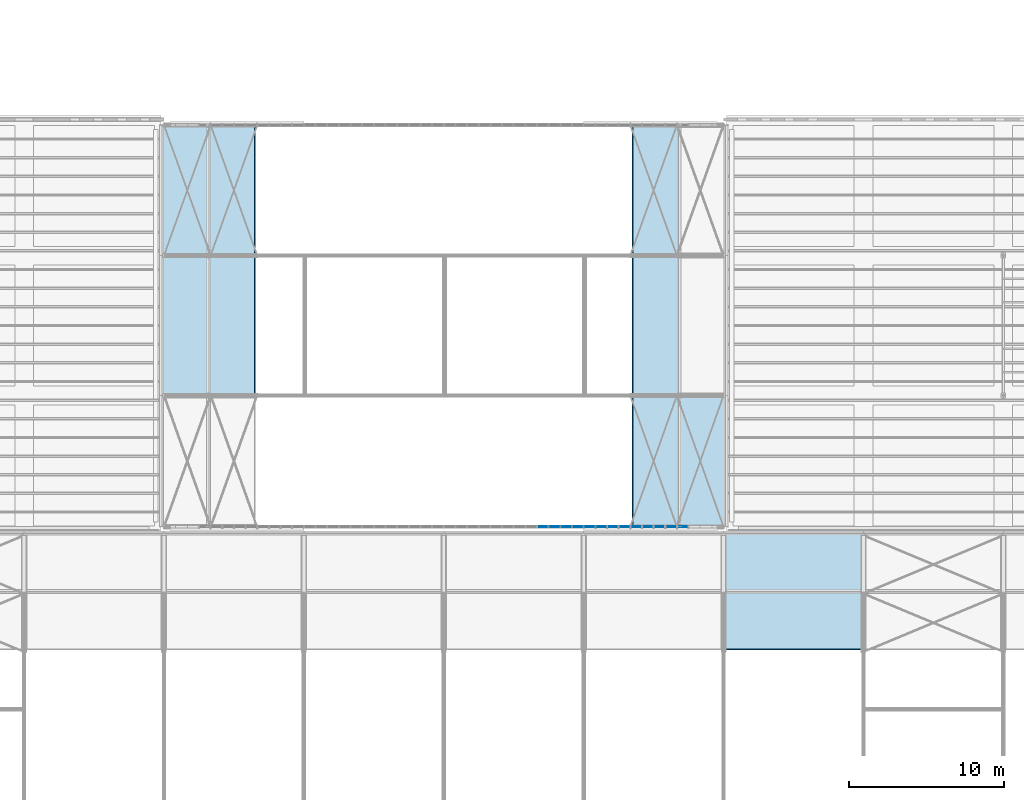
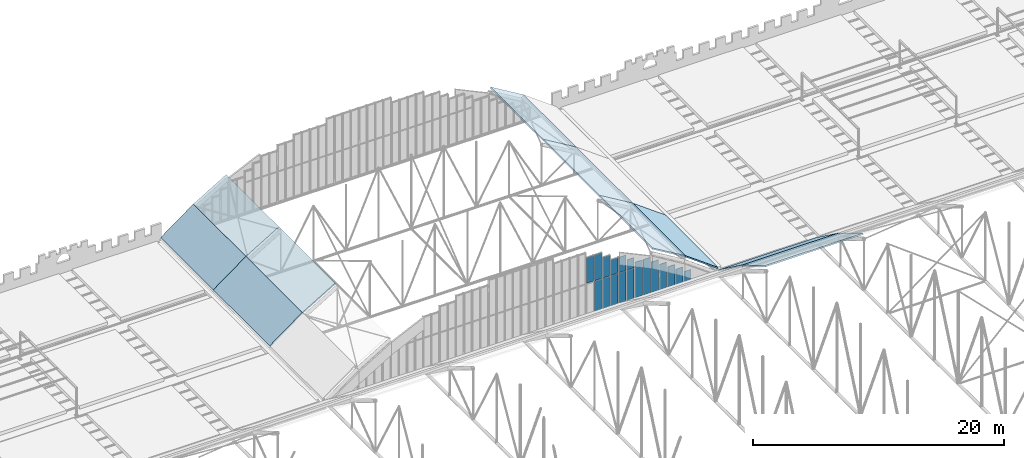
# One storey, part 97 of 153: 18 plates, 10 slabs, 13 elements without a shape of their own.
"""IFC4 building model written with IfcOpenShell, lengths in metres."""

from ifc_helpers import new_model, si_unit, direction, frame, origin, origin_2d, place, context, subcontext, project, spatial, polyline, rectangle, outline, extrude, material, layer, layer_set, type_object, element, aggregate, save


model = new_model("IFC4")

# Units and contexts
model_context = context("Model", 3, precision=1e-05, world=origin(), true_north=direction((0.0, 1.0)))
body_context = subcontext(model_context, "Body", "Model", "MODEL_VIEW")
ifc_project = project(units=[si_unit("LENGTHUNIT", "METRE"), si_unit("AREAUNIT", "SQUARE_METRE"), si_unit("VOLUMEUNIT", "CUBIC_METRE"), si_unit("PLANEANGLEUNIT", "RADIAN"), si_unit("MASSUNIT", "GRAM", prefix="KILO")], contexts=[model_context])

# Site, building, storey
site_placement = place(None, origin())
site = spatial("IfcSite", under=ifc_project, at=site_placement, CompositionType="ELEMENT")
building_placement = place(site_placement, origin())
building = spatial("IfcBuilding", under=site, at=building_placement, Name="Baradari Gate Terminus", CompositionType="ELEMENT")
storey_placement = place(building_placement, frame((0.0, 0.0, 11.699951171875)))
storey = spatial("IfcBuildingStorey", under=building, at=storey_placement, Name="L02", CompositionType="ELEMENT", Elevation=11.699951171875)

# Curtain wall, plate
ifc_material_1 = material(Name="Aluminium 6063-T6", Category="aluminium")
curtain_wall_type = type_object("IfcCurtainWallType", Name="Curtain wall CW-60 hall gable glazing", PredefinedType="NOTDEFINED", material=ifc_material_1)
curtain_wall_1_placement = place(storey_placement, origin())
curtain_wall_1 = element("IfcCurtainWall", 1, at=curtain_wall_1_placement, inside=storey, type_object=curtain_wall_type, Name="Hall gable glazing S33", PredefinedType="NOTDEFINED")
ifc_material_2 = material(Name="Insulating glass unit", Category="glass")
ifc_layer_1 = layer(ifc_material_2, 0.0439453125)
ifc_layer_set_1 = layer_set([ifc_layer_1], Name="Insulating glass unit")
plate_type = type_object("IfcPlateType", Name="Curtain wall glazing unit CP-60 44", PredefinedType="CURTAIN_PANEL", material=ifc_layer_set_1)
plate_1_placement = place(storey_placement, frame((159.375, 81.550048828125, 3.259765625), z_axis=(0.0, 0.0, 1.0), x_axis=(1.0, 0.0, 0.0)))
plate_1 = element("IfcPlate", 2, at=plate_1_placement, type_object=plate_type, Name="CW-60 panel 1.2", PredefinedType="CURTAIN_PANEL", context=body_context, shape_type="SweptSolid", body=[
    extrude(rectangle(XDim=0.64990234375, YDim=0.0439453125, at=origin_2d()), origin(), (0.0, 0.0, 1.0), 2.490478515625),
])
aggregate(curtain_wall_1, [plate_1])

# Curtain wall, plates
curtain_wall_2_placement = place(storey_placement, origin())
curtain_wall_2 = element("IfcCurtainWall", 3, at=curtain_wall_2_placement, inside=storey, type_object=curtain_wall_type, Name="Hall gable glazing S34", PredefinedType="NOTDEFINED")
plate_2_placement = place(storey_placement, frame((160.125, 81.550048828125, 0.28466796875), z_axis=(0.0, 0.0, 1.0), x_axis=(1.0, 0.0, 0.0)))
plate_2 = element("IfcPlate", 4, at=plate_2_placement, type_object=plate_type, Name="CW-60 panel 1.1", PredefinedType="CURTAIN_PANEL", context=body_context, shape_type="SweptSolid", body=[
    extrude(rectangle(XDim=0.64990234375, YDim=0.0439453125, at=origin_2d()), origin(), (0.0, 0.0, 1.0), 2.925048828125),
])
plate_3_placement = place(storey_placement, frame((160.125, 81.550048828125, 3.259765625), z_axis=(0.0, 0.0, 1.0), x_axis=(1.0, 0.0, 0.0)))
plate_3 = element("IfcPlate", 5, at=plate_3_placement, type_object=plate_type, Name="CW-60 panel 1.2", PredefinedType="CURTAIN_PANEL", context=body_context, shape_type="SweptSolid", body=[
    extrude(rectangle(XDim=0.64990234375, YDim=0.0439453125, at=origin_2d()), origin(), (0.0, 0.0, 1.0), 2.490478515625),
])
aggregate(curtain_wall_2, [plate_2, plate_3])

curtain_wall_3_placement = place(storey_placement, origin())
curtain_wall_3 = element("IfcCurtainWall", 6, at=curtain_wall_3_placement, inside=storey, type_object=curtain_wall_type, Name="Hall gable glazing S35", PredefinedType="NOTDEFINED")
plate_4_placement = place(storey_placement, frame((160.875, 81.550048828125, 0.28466796875), z_axis=(0.0, 0.0, 1.0), x_axis=(1.0, 0.0, 0.0)))
plate_4 = element("IfcPlate", 7, at=plate_4_placement, type_object=plate_type, Name="CW-60 panel 1.1", PredefinedType="CURTAIN_PANEL", context=body_context, shape_type="SweptSolid", body=[
    extrude(rectangle(XDim=0.64990234375, YDim=0.0439453125, at=origin_2d()), origin(), (0.0, 0.0, 1.0), 2.925048828125),
])
plate_5_placement = place(storey_placement, frame((160.875, 81.550048828125, 3.259765625), z_axis=(0.0, 0.0, 1.0), x_axis=(1.0, 0.0, 0.0)))
plate_5 = element("IfcPlate", 8, at=plate_5_placement, type_object=plate_type, Name="CW-60 panel 1.2", PredefinedType="CURTAIN_PANEL", context=body_context, shape_type="SweptSolid", body=[
    extrude(rectangle(XDim=0.64990234375, YDim=0.0439453125, at=origin_2d()), origin(), (0.0, 0.0, 1.0), 1.990478515625),
])
aggregate(curtain_wall_3, [plate_4, plate_5])

curtain_wall_4_placement = place(storey_placement, origin())
curtain_wall_4 = element("IfcCurtainWall", 9, at=curtain_wall_4_placement, inside=storey, type_object=curtain_wall_type, Name="Hall gable glazing S36", PredefinedType="NOTDEFINED")
plate_6_placement = place(storey_placement, frame((161.625, 81.550048828125, 0.28466796875), z_axis=(0.0, 0.0, 1.0), x_axis=(1.0, 0.0, 0.0)))
plate_6 = element("IfcPlate", 10, at=plate_6_placement, type_object=plate_type, Name="CW-60 panel 1.1", PredefinedType="CURTAIN_PANEL", context=body_context, shape_type="SweptSolid", body=[
    extrude(rectangle(XDim=0.64990234375, YDim=0.0439453125, at=origin_2d()), origin(), (0.0, 0.0, 1.0), 2.925048828125),
])
plate_7_placement = place(storey_placement, frame((161.625, 81.550048828125, 3.259765625), z_axis=(0.0, 0.0, 1.0), x_axis=(1.0, 0.0, 0.0)))
plate_7 = element("IfcPlate", 11, at=plate_7_placement, type_object=plate_type, Name="CW-60 panel 1.2", PredefinedType="CURTAIN_PANEL", context=body_context, shape_type="SweptSolid", body=[
    extrude(rectangle(XDim=0.64990234375, YDim=0.0439453125, at=origin_2d()), origin(), (0.0, 0.0, 1.0), 1.490478515625),
])
aggregate(curtain_wall_4, [plate_6, plate_7])

curtain_wall_5_placement = place(storey_placement, origin())
curtain_wall_5 = element("IfcCurtainWall", 12, at=curtain_wall_5_placement, inside=storey, type_object=curtain_wall_type, Name="Hall gable glazing S37", PredefinedType="NOTDEFINED")
plate_8_placement = place(storey_placement, frame((162.375, 81.550048828125, 0.28466796875), z_axis=(0.0, 0.0, 1.0), x_axis=(1.0, 0.0, 0.0)))
plate_8 = element("IfcPlate", 13, at=plate_8_placement, type_object=plate_type, Name="CW-60 panel 1.1", PredefinedType="CURTAIN_PANEL", context=body_context, shape_type="SweptSolid", body=[
    extrude(rectangle(XDim=0.64990234375, YDim=0.0439453125, at=origin_2d()), origin(), (0.0, 0.0, 1.0), 2.925048828125),
])
plate_9_placement = place(storey_placement, frame((162.375, 81.550048828125, 3.259765625), z_axis=(0.0, 0.0, 1.0), x_axis=(1.0, 0.0, 0.0)))
plate_9 = element("IfcPlate", 14, at=plate_9_placement, type_object=plate_type, Name="CW-60 panel 1.2", PredefinedType="CURTAIN_PANEL", context=body_context, shape_type="SweptSolid", body=[
    extrude(rectangle(XDim=0.64990234375, YDim=0.0439453125, at=origin_2d()), origin(), (0.0, 0.0, 1.0), 1.490478515625),
])
aggregate(curtain_wall_5, [plate_8, plate_9])

curtain_wall_6_placement = place(storey_placement, origin())
curtain_wall_6 = element("IfcCurtainWall", 15, at=curtain_wall_6_placement, inside=storey, type_object=curtain_wall_type, Name="Hall gable glazing S38", PredefinedType="NOTDEFINED")
plate_10_placement = place(storey_placement, frame((163.125, 81.550048828125, 0.28466796875), z_axis=(0.0, 0.0, 1.0), x_axis=(1.0, 0.0, 0.0)))
plate_10 = element("IfcPlate", 16, at=plate_10_placement, type_object=plate_type, Name="CW-60 panel 1.1", PredefinedType="CURTAIN_PANEL", context=body_context, shape_type="SweptSolid", body=[
    extrude(rectangle(XDim=0.64990234375, YDim=0.0439453125, at=origin_2d()), origin(), (0.0, 0.0, 1.0), 2.925048828125),
])
plate_11_placement = place(storey_placement, frame((163.125, 81.550048828125, 3.259765625), z_axis=(0.0, 0.0, 1.0), x_axis=(1.0, 0.0, 0.0)))
plate_11 = element("IfcPlate", 17, at=plate_11_placement, type_object=plate_type, Name="CW-60 panel 1.2", PredefinedType="CURTAIN_PANEL", context=body_context, shape_type="SweptSolid", body=[
    extrude(rectangle(XDim=0.64990234375, YDim=0.0439453125, at=origin_2d()), origin(), (0.0, 0.0, 1.0), 0.990478515625),
])
aggregate(curtain_wall_6, [plate_10, plate_11])

# Curtain wall, plate
curtain_wall_7_placement = place(storey_placement, origin())
curtain_wall_7 = element("IfcCurtainWall", 18, at=curtain_wall_7_placement, inside=storey, type_object=curtain_wall_type, Name="Hall gable glazing S39", PredefinedType="NOTDEFINED")
plate_12_placement = place(storey_placement, frame((163.875, 81.550048828125, 0.28466796875), z_axis=(0.0, 0.0, 1.0), x_axis=(1.0, 0.0, 0.0)))
plate_12 = element("IfcPlate", 19, at=plate_12_placement, type_object=plate_type, Name="CW-60 panel 1.1", PredefinedType="CURTAIN_PANEL", context=body_context, shape_type="SweptSolid", body=[
    extrude(rectangle(XDim=0.64990234375, YDim=0.0439453125, at=origin_2d()), origin(), (0.0, 0.0, 1.0), 3.465576171875),
])
aggregate(curtain_wall_7, [plate_12])

curtain_wall_8_placement = place(storey_placement, origin())
curtain_wall_8 = element("IfcCurtainWall", 20, at=curtain_wall_8_placement, inside=storey, type_object=curtain_wall_type, Name="Hall gable glazing S40", PredefinedType="NOTDEFINED")
plate_13_placement = place(storey_placement, frame((164.625, 81.550048828125, 0.28466796875), z_axis=(0.0, 0.0, 1.0), x_axis=(1.0, 0.0, 0.0)))
plate_13 = element("IfcPlate", 21, at=plate_13_placement, type_object=plate_type, Name="CW-60 panel 1.1", PredefinedType="CURTAIN_PANEL", context=body_context, shape_type="SweptSolid", body=[
    extrude(rectangle(XDim=0.64990234375, YDim=0.0439453125, at=origin_2d()), origin(), (0.0, 0.0, 1.0), 3.465576171875),
])
aggregate(curtain_wall_8, [plate_13])

curtain_wall_9_placement = place(storey_placement, origin())
curtain_wall_9 = element("IfcCurtainWall", 22, at=curtain_wall_9_placement, inside=storey, type_object=curtain_wall_type, Name="Hall gable glazing S41", PredefinedType="NOTDEFINED")
plate_14_placement = place(storey_placement, frame((165.375, 81.550048828125, 0.28466796875), z_axis=(0.0, 0.0, 1.0), x_axis=(1.0, 0.0, 0.0)))
plate_14 = element("IfcPlate", 23, at=plate_14_placement, type_object=plate_type, Name="CW-60 panel 1.1", PredefinedType="CURTAIN_PANEL", context=body_context, shape_type="SweptSolid", body=[
    extrude(rectangle(XDim=0.64990234375, YDim=0.0439453125, at=origin_2d()), origin(), (0.0, 0.0, 1.0), 2.965576171875),
])
aggregate(curtain_wall_9, [plate_14])

curtain_wall_10_placement = place(storey_placement, origin())
curtain_wall_10 = element("IfcCurtainWall", 24, at=curtain_wall_10_placement, inside=storey, type_object=curtain_wall_type, Name="Hall gable glazing S42", PredefinedType="NOTDEFINED")
plate_15_placement = place(storey_placement, frame((166.125, 81.550048828125, 0.28466796875), z_axis=(0.0, 0.0, 1.0), x_axis=(1.0, 0.0, 0.0)))
plate_15 = element("IfcPlate", 25, at=plate_15_placement, type_object=plate_type, Name="CW-60 panel 1.1", PredefinedType="CURTAIN_PANEL", context=body_context, shape_type="SweptSolid", body=[
    extrude(rectangle(XDim=0.64990234375, YDim=0.0439453125, at=origin_2d()), origin(), (0.0, 0.0, 1.0), 2.465576171875),
])
aggregate(curtain_wall_10, [plate_15])

curtain_wall_11_placement = place(storey_placement, origin())
curtain_wall_11 = element("IfcCurtainWall", 26, at=curtain_wall_11_placement, inside=storey, type_object=curtain_wall_type, Name="Hall gable glazing S43", PredefinedType="NOTDEFINED")
plate_16_placement = place(storey_placement, frame((166.875, 81.550048828125, 0.28466796875), z_axis=(0.0, 0.0, 1.0), x_axis=(1.0, 0.0, 0.0)))
plate_16 = element("IfcPlate", 27, at=plate_16_placement, type_object=plate_type, Name="CW-60 panel 1.1", PredefinedType="CURTAIN_PANEL", context=body_context, shape_type="SweptSolid", body=[
    extrude(rectangle(XDim=0.64990234375, YDim=0.0439453125, at=origin_2d()), origin(), (0.0, 0.0, 1.0), 1.965576171875),
])
aggregate(curtain_wall_11, [plate_16])

curtain_wall_12_placement = place(storey_placement, origin())
curtain_wall_12 = element("IfcCurtainWall", 28, at=curtain_wall_12_placement, inside=storey, type_object=curtain_wall_type, Name="Hall gable glazing S44", PredefinedType="NOTDEFINED")
plate_17_placement = place(storey_placement, frame((167.625, 81.550048828125, 0.28466796875), z_axis=(0.0, 0.0, 1.0), x_axis=(1.0, 0.0, 0.0)))
plate_17 = element("IfcPlate", 29, at=plate_17_placement, type_object=plate_type, Name="CW-60 panel 1.1", PredefinedType="CURTAIN_PANEL", context=body_context, shape_type="SweptSolid", body=[
    extrude(rectangle(XDim=0.64990234375, YDim=0.0439453125, at=origin_2d()), origin(), (0.0, 0.0, 1.0), 1.465576171875),
])
aggregate(curtain_wall_12, [plate_17])

curtain_wall_13_placement = place(storey_placement, origin())
curtain_wall_13 = element("IfcCurtainWall", 30, at=curtain_wall_13_placement, inside=storey, type_object=curtain_wall_type, Name="Hall gable glazing S45", PredefinedType="NOTDEFINED")
plate_18_placement = place(storey_placement, frame((168.375, 81.550048828125, 0.28466796875), z_axis=(0.0, 0.0, 1.0), x_axis=(1.0, 0.0, 0.0)))
plate_18 = element("IfcPlate", 31, at=plate_18_placement, type_object=plate_type, Name="CW-60 panel 1.1", PredefinedType="CURTAIN_PANEL", context=body_context, shape_type="SweptSolid", body=[
    extrude(rectangle(XDim=0.64990234375, YDim=0.0439453125, at=origin_2d()), origin(), (0.0, 0.0, 1.0), 0.965576171875),
])
aggregate(curtain_wall_13, [plate_18])

# Slabs
ifc_material_3 = material(Name="Aluminium", Category="aluminium")
ifc_layer_2 = layer(ifc_material_3, 0.1201171875)
ifc_layer_set_2 = layer_set([ifc_layer_2], Name="Aluminium")
slab_type_1 = type_object("IfcSlabType", Name="Hall vault roof panel", PredefinedType="ROOF", material=ifc_layer_set_2)
slab_1_placement = place(storey_placement, frame((165.173583984375, 81.550048828125, 4.5625), z_axis=(0.513041174942, 0.0, 0.858363997855), x_axis=(0.0, 1.0, 0.0)))
element("IfcSlab", 32, at=slab_1_placement, inside=storey, type_object=slab_type_1, Name="RF/L02/VR1-RP10", PredefinedType="ROOF", context=body_context, shape_type="SweptSolid", body=[
    extrude(outline(polyline([(0.0, 0.0), (8.449951171875, 0.0), (8.449951171875, -3.5314272355019476), (0.0, -3.5314272355019476), (0.0, 0.0)])), origin(), (0.0, 0.0, -1.0), 0.1201171875),
])
slab_2_placement = place(storey_placement, frame((168.204833984375, 81.550048828125, 2.750732421875), z_axis=(0.59064081852, 0.0, 0.806934584399), x_axis=(0.0, 1.0, 0.0)))
element("IfcSlab", 33, at=slab_2_placement, inside=storey, type_object=slab_type_1, Name="RF/L02/VR1-RP11", PredefinedType="ROOF", context=body_context, shape_type="SweptSolid", body=[
    extrude(outline(polyline([(0.0, 0.0), (8.449951171875, 0.0), (8.449951171875, -3.7350190138045614), (0.0, -3.7350190138045614), (0.0, 0.0)])), origin(), (0.0, 0.0, -1.0), 0.1201171875),
])
slab_3_placement = place(storey_placement, frame((134.78125, 90.0, 0.544677734375), z_axis=(-0.59064081852, 0.0, 0.806934584399), x_axis=(0.0, 1.0, 0.0)))
element("IfcSlab", 34, at=slab_3_placement, inside=storey, type_object=slab_type_1, Name="RF/L02/VR2-RP00", PredefinedType="ROOF", context=body_context, shape_type="SweptSolid", body=[
    extrude(outline(polyline([(0.0, 0.0), (9.0, 0.0), (9.0, -3.7350190138045614), (0.0, -3.7350190138045614), (0.0, 0.0)])), origin(), (0.0, 0.0, -1.0), 0.1201171875),
])
for number, where, z_axis, x_axis, name in (
    (35, (137.795166015625, 90.0, 2.750732421875), (-0.513041174942, 0.0, 0.858363997855), (0.0, 1.0, 0.0), "RF/L02/VR2-RP01"),
    (36, (165.173583984375, 90.0, 4.5625), (0.513041174942, 0.0, 0.858363997855), (0.0, 1.0, 0.0), "RF/L02/VR2-RP10"),
):
    element("IfcSlab", number, at=place(storey_placement, frame(where, z_axis=z_axis, x_axis=x_axis)), inside=storey, type_object=slab_type_1, Name=name, PredefinedType="ROOF", context=body_context, shape_type="SweptSolid", body=[
        extrude(outline(polyline([(0.0, 0.0), (9.0, 0.0), (9.0, -3.5314272355019476), (0.0, -3.5314272355019476), (0.0, 0.0)])), origin(), (0.0, 0.0, -1.0), 0.1201171875),
    ])
slab_4_placement = place(storey_placement, frame((134.78125, 99.0, 0.544677734375), z_axis=(-0.59064081852, 0.0, 0.806934584399), x_axis=(0.0, 1.0, 0.0)))
element("IfcSlab", 37, at=slab_4_placement, inside=storey, type_object=slab_type_1, Name="RF/L02/VR3-RP00", PredefinedType="ROOF", context=body_context, shape_type="SweptSolid", body=[
    extrude(outline(polyline([(0.0, 0.0), (8.39990234375, 0.0), (8.39990234375, -3.7350190138045614), (0.0, -3.7350190138045614), (0.0, 0.0)])), origin(), (0.0, 0.0, -1.0), 0.1201171875),
])
for number, where, z_axis, x_axis, name in (
    (38, (137.795166015625, 99.0, 2.750732421875), (-0.513041174942, 0.0, 0.858363997855), (0.0, 1.0, 0.0), "RF/L02/VR3-RP01"),
    (39, (165.173583984375, 99.0, 4.5625), (0.513041174942, 0.0, 0.858363997855), (0.0, 1.0, 0.0), "RF/L02/VR3-RP10"),
):
    element("IfcSlab", number, at=place(storey_placement, frame(where, z_axis=z_axis, x_axis=x_axis)), inside=storey, type_object=slab_type_1, Name=name, PredefinedType="ROOF", context=body_context, shape_type="SweptSolid", body=[
        extrude(outline(polyline([(0.0, 0.0), (8.39990234375, 0.0), (8.39990234375, -3.5314272355019476), (0.0, -3.5314272355019476), (0.0, 0.0)])), origin(), (0.0, 0.0, -1.0), 0.1201171875),
    ])
ifc_material_4 = material(Name="Aluminium", Category="aluminium")
ifc_layer_3 = layer(ifc_material_4, 0.1201171875)
ifc_layer_set_3 = layer_set([ifc_layer_3], Name="Aluminium")
slab_type_2 = type_object("IfcSlabType", Name="Shed roof panel", PredefinedType="ROOF", material=ifc_layer_set_3)
slab_5_placement = place(storey_placement, frame((171.0, 73.680908203125, 5.590576171875), z_axis=(0.0, 0.513297855318, 0.85821052879), x_axis=(1.0, 0.0, 0.0)))
element("IfcSlab", 40, at=slab_5_placement, inside=storey, type_object=slab_type_2, Name="RF/L02/B180-RP10", PredefinedType="ROOF", context=body_context, shape_type="SweptSolid", body=[
    extrude(outline(polyline([(0.0, 0.0), (9.0, 0.0), (9.0, 4.407677040601449), (0.0, 4.407677040601449), (0.0, 0.0)])), origin(), (0.0, 0.0, -1.0), 0.1201171875),
])
slab_6_placement = place(storey_placement, frame((171.0, 77.463623046875, 3.328125), z_axis=(0.0, 0.590775958062, 0.806835650784), x_axis=(1.0, 0.0, 0.0)))
element("IfcSlab", 41, at=slab_6_placement, inside=storey, type_object=slab_type_2, Name="RF/L02/B180-RP11", PredefinedType="ROOF", context=body_context, shape_type="SweptSolid", body=[
    extrude(outline(polyline([(0.0, 0.0), (9.0, 0.0), (9.0, 4.665639518056), (0.0, 4.665639518056), (0.0, 0.0)])), origin(), (0.0, 0.0, -1.0), 0.1201171875),
])

save(model, "model.ifc")
